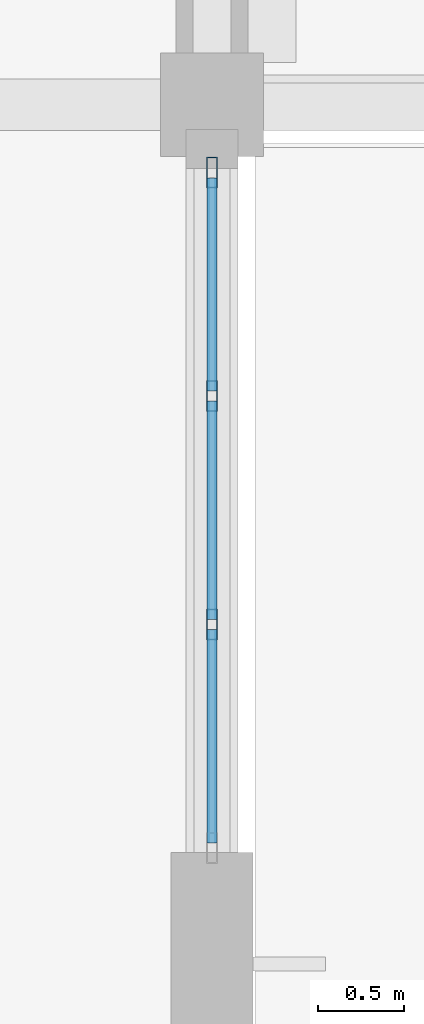
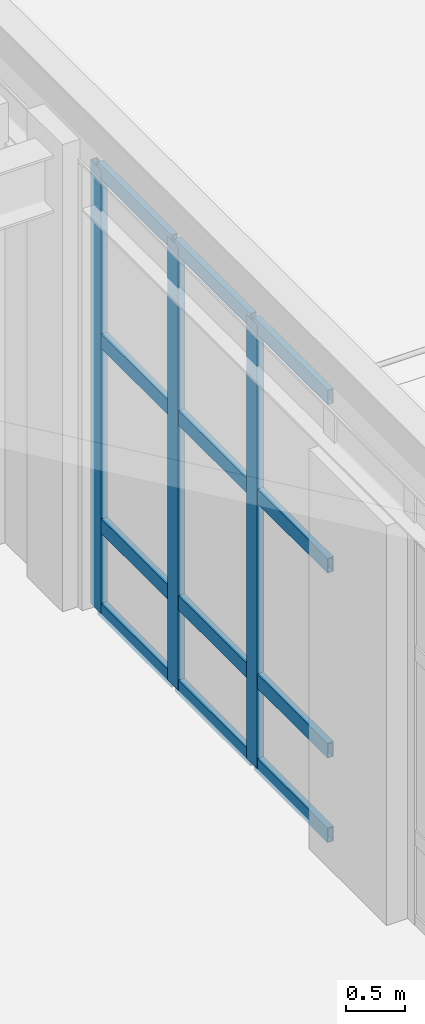
# One storey, part 34 of 86: 15 members, 1 element without a shape of its own.
"""IFC4 building model written with IfcOpenShell, lengths in metres."""

from ifc_helpers import new_model, si_unit, direction, frame, origin, origin_2d, place, context, subcontext, project, spatial, hollow_rectangle, extrude, material, layer, layer_set, material_profile, profile_set, type_object, element, aggregate, save


model = new_model("IFC4")

# Units and contexts
model_context = context("Model", 3, precision=1e-05, world=origin(), true_north=direction((0.0, 1.0)))
body_context = subcontext(model_context, "Body", "Model", "MODEL_VIEW")
ifc_project = project(units=[si_unit("LENGTHUNIT", "METRE"), si_unit("AREAUNIT", "SQUARE_METRE"), si_unit("VOLUMEUNIT", "CUBIC_METRE"), si_unit("PLANEANGLEUNIT", "RADIAN"), si_unit("MASSUNIT", "GRAM", prefix="KILO")], contexts=[model_context])

# Site, building, storey
site_placement = place(None, origin())
site = spatial("IfcSite", under=ifc_project, at=site_placement, CompositionType="ELEMENT")
building_placement = place(site_placement, origin())
building = spatial("IfcBuilding", under=site, at=building_placement, Name="Tasgan Crest Museum", CompositionType="ELEMENT")
storey_placement = place(building_placement, frame((0.0, 0.0, 24.0)))
storey = spatial("IfcBuildingStorey", under=building, at=storey_placement, Name="L04", CompositionType="ELEMENT", Elevation=24.0)

# Curtain wall, members
ifc_material_1 = material(Name="Triple-Glazed Aluminium Curtain Wall", Category="aluminium")
ifc_layer = layer(ifc_material_1, 0.179931640625, Name="CW-DRUM-Y10-48")
ifc_layer_set = layer_set([ifc_layer], Name="Triple-Glazed Aluminium Curtain Wall")
curtain_wall_type = type_object("IfcCurtainWallType", Name="CW-DRUM-Y10-48", PredefinedType="NOTDEFINED", material=ifc_layer_set)
curtain_wall_placement = place(storey_placement, origin())
curtain_wall = element("IfcCurtainWall", 1, at=curtain_wall_placement, inside=storey, type_object=curtain_wall_type, Name="Curtain wall L04 196", PredefinedType="NOTDEFINED")
ifc_material_2 = material(Name="Anodised Aluminium", Category="aluminium")
ifc_material_profile_1 = material_profile(ifc_material_2, hollow_rectangle(XDim=0.06494140625, YDim=0.179931640625, WallThickness=0.0048828125, at=origin_2d()), Name="ALU MULLION 180x65x5")
ifc_profile_set_1 = profile_set([ifc_material_profile_1], Name="Anodised Aluminium")
member_type_1 = type_object("IfcMemberType", Name="CW-MULLION-180", PredefinedType="MULLION", material=ifc_profile_set_1)
member_1_placement = place(storey_placement, frame((108.0, 46.97509765625, 0.0), z_axis=(0.0, 0.0, 1.0), x_axis=(-1.0, 0.0, 0.0)))
member_1 = element("IfcMember", 2, at=member_1_placement, type_object=member_type_1, Name="CW04 mullion 2", PredefinedType="MULLION", context=body_context, shape_type="SweptSolid", body=[
    extrude(hollow_rectangle(XDim=0.06494140625, YDim=0.179931640625, WallThickness=0.0048828125, at=origin_2d()), origin(), (0.0, 0.0, 1.0), 4.56005859375),
])
member_2_placement = place(storey_placement, frame((108.0, 48.304931640625, 0.0), z_axis=(0.0, 0.0, 1.0), x_axis=(-1.0, 0.0, 0.0)))
member_2 = element("IfcMember", 3, at=member_2_placement, type_object=member_type_1, Name="CW04 mullion 3", PredefinedType="MULLION", context=body_context, shape_type="SweptSolid", body=[
    extrude(hollow_rectangle(XDim=0.06494140625, YDim=0.179931640625, WallThickness=0.0048828125, at=origin_2d()), origin(), (0.0, 0.0, 1.0), 4.56005859375),
])
member_3_placement = place(storey_placement, frame((108.0, 49.60498046875, 0.0), z_axis=(0.0, 0.0, 1.0), x_axis=(-1.0, 0.0, 0.0)))
member_3 = element("IfcMember", 4, at=member_3_placement, type_object=member_type_1, Name="CW04 mullion 4", PredefinedType="MULLION", context=body_context, shape_type="SweptSolid", body=[
    extrude(hollow_rectangle(XDim=0.06494140625, YDim=0.179931640625, WallThickness=0.0048828125, at=origin_2d()), origin(), (0.0, 0.0, 1.0), 4.56005859375),
])
ifc_material_3 = material(Name="Anodised Aluminium", Category="aluminium")
ifc_material_profile_2 = material_profile(ifc_material_3, hollow_rectangle(XDim=0.06005859375, YDim=0.14990234375, WallThickness=0.0048828125, at=origin_2d()), Name="ALU TRANSOM 150x60x5")
ifc_profile_set_2 = profile_set([ifc_material_profile_2], Name="Anodised Aluminium")
member_type_2 = type_object("IfcMemberType", Name="CW-TRANSOM-150", PredefinedType="USERDEFINED", material=ifc_profile_set_2)
member_4_placement = place(storey_placement, frame((108.0, 45.705078125, 0.030029296875), z_axis=(0.0, 1.0, 0.0), x_axis=(-1.0, 0.0, 0.0)))
member_4 = element("IfcMember", 5, at=member_4_placement, type_object=member_type_2, Name="CW04 transom 1.1", ObjectType="TRANSOM", PredefinedType="USERDEFINED", context=body_context, shape_type="SweptSolid", body=[
    extrude(hollow_rectangle(XDim=0.06005859375, YDim=0.14990234375, WallThickness=0.0048828125, at=origin_2d()), origin(), (0.0, 0.0, 1.0), 1.239990234375),
])
member_5_placement = place(storey_placement, frame((108.0, 45.705078125, 0.89990234375), z_axis=(0.0, 1.0, 0.0), x_axis=(-1.0, 0.0, 0.0)))
member_5 = element("IfcMember", 6, at=member_5_placement, type_object=member_type_2, Name="CW04 transom 1.2", ObjectType="TRANSOM", PredefinedType="USERDEFINED", context=body_context, shape_type="SweptSolid", body=[
    extrude(hollow_rectangle(XDim=0.06005859375, YDim=0.14990234375, WallThickness=0.0048828125, at=origin_2d()), origin(), (0.0, 0.0, 1.0), 1.239990234375),
])
member_6_placement = place(storey_placement, frame((108.0, 45.705078125, 2.800048828125), z_axis=(0.0, 1.0, 0.0), x_axis=(-1.0, 0.0, 0.0)))
member_6 = element("IfcMember", 7, at=member_6_placement, type_object=member_type_2, Name="CW04 transom 1.3", ObjectType="TRANSOM", PredefinedType="USERDEFINED", context=body_context, shape_type="SweptSolid", body=[
    extrude(hollow_rectangle(XDim=0.06005859375, YDim=0.14990234375, WallThickness=0.0048828125, at=origin_2d()), origin(), (0.0, 0.0, 1.0), 1.239990234375),
])
member_7_placement = place(storey_placement, frame((108.0, 45.705078125, 4.530029296875), z_axis=(0.0, 1.0, 0.0), x_axis=(-1.0, 0.0, 0.0)))
member_7 = element("IfcMember", 8, at=member_7_placement, type_object=member_type_2, Name="CW04 transom 1.4", ObjectType="TRANSOM", PredefinedType="USERDEFINED", context=body_context, shape_type="SweptSolid", body=[
    extrude(hollow_rectangle(XDim=0.06005859375, YDim=0.14990234375, WallThickness=0.0048828125, at=origin_2d()), origin(), (0.0, 0.0, 1.0), 1.239990234375),
])
member_8_placement = place(storey_placement, frame((108.0, 47.0048828125, 0.030029296875), z_axis=(0.0, 1.0, 0.0), x_axis=(-1.0, 0.0, 0.0)))
member_8 = element("IfcMember", 9, at=member_8_placement, type_object=member_type_2, Name="CW04 transom 2.1", ObjectType="TRANSOM", PredefinedType="USERDEFINED", context=body_context, shape_type="SweptSolid", body=[
    extrude(hollow_rectangle(XDim=0.06005859375, YDim=0.14990234375, WallThickness=0.0048828125, at=origin_2d()), origin(), (0.0, 0.0, 1.0), 1.27001953125),
])
member_9_placement = place(storey_placement, frame((108.0, 47.0048828125, 0.89990234375), z_axis=(0.0, 1.0, 0.0), x_axis=(-1.0, 0.0, 0.0)))
member_9 = element("IfcMember", 10, at=member_9_placement, type_object=member_type_2, Name="CW04 transom 2.2", ObjectType="TRANSOM", PredefinedType="USERDEFINED", context=body_context, shape_type="SweptSolid", body=[
    extrude(hollow_rectangle(XDim=0.06005859375, YDim=0.14990234375, WallThickness=0.0048828125, at=origin_2d()), origin(), (0.0, 0.0, 1.0), 1.27001953125),
])
member_10_placement = place(storey_placement, frame((108.0, 47.0048828125, 2.800048828125), z_axis=(0.0, 1.0, 0.0), x_axis=(-1.0, 0.0, 0.0)))
member_10 = element("IfcMember", 11, at=member_10_placement, type_object=member_type_2, Name="CW04 transom 2.3", ObjectType="TRANSOM", PredefinedType="USERDEFINED", context=body_context, shape_type="SweptSolid", body=[
    extrude(hollow_rectangle(XDim=0.06005859375, YDim=0.14990234375, WallThickness=0.0048828125, at=origin_2d()), origin(), (0.0, 0.0, 1.0), 1.27001953125),
])
member_11_placement = place(storey_placement, frame((108.0, 47.0048828125, 4.530029296875), z_axis=(0.0, 1.0, 0.0), x_axis=(-1.0, 0.0, 0.0)))
member_11 = element("IfcMember", 12, at=member_11_placement, type_object=member_type_2, Name="CW04 transom 2.4", ObjectType="TRANSOM", PredefinedType="USERDEFINED", context=body_context, shape_type="SweptSolid", body=[
    extrude(hollow_rectangle(XDim=0.06005859375, YDim=0.14990234375, WallThickness=0.0048828125, at=origin_2d()), origin(), (0.0, 0.0, 1.0), 1.27001953125),
])
member_12_placement = place(storey_placement, frame((108.0, 48.3349609375, 0.030029296875), z_axis=(0.0, 1.0, 0.0), x_axis=(-1.0, 0.0, 0.0)))
member_12 = element("IfcMember", 13, at=member_12_placement, type_object=member_type_2, Name="CW04 transom 3.1", ObjectType="TRANSOM", PredefinedType="USERDEFINED", context=body_context, shape_type="SweptSolid", body=[
    extrude(hollow_rectangle(XDim=0.06005859375, YDim=0.14990234375, WallThickness=0.0048828125, at=origin_2d()), origin(), (0.0, 0.0, 1.0), 1.239990234375),
])
member_13_placement = place(storey_placement, frame((108.0, 48.3349609375, 0.89990234375), z_axis=(0.0, 1.0, 0.0), x_axis=(-1.0, 0.0, 0.0)))
member_13 = element("IfcMember", 14, at=member_13_placement, type_object=member_type_2, Name="CW04 transom 3.2", ObjectType="TRANSOM", PredefinedType="USERDEFINED", context=body_context, shape_type="SweptSolid", body=[
    extrude(hollow_rectangle(XDim=0.06005859375, YDim=0.14990234375, WallThickness=0.0048828125, at=origin_2d()), origin(), (0.0, 0.0, 1.0), 1.239990234375),
])
member_14_placement = place(storey_placement, frame((108.0, 48.3349609375, 2.800048828125), z_axis=(0.0, 1.0, 0.0), x_axis=(-1.0, 0.0, 0.0)))
member_14 = element("IfcMember", 15, at=member_14_placement, type_object=member_type_2, Name="CW04 transom 3.3", ObjectType="TRANSOM", PredefinedType="USERDEFINED", context=body_context, shape_type="SweptSolid", body=[
    extrude(hollow_rectangle(XDim=0.06005859375, YDim=0.14990234375, WallThickness=0.0048828125, at=origin_2d()), origin(), (0.0, 0.0, 1.0), 1.239990234375),
])
member_15_placement = place(storey_placement, frame((108.0, 48.3349609375, 4.530029296875), z_axis=(0.0, 1.0, 0.0), x_axis=(-1.0, 0.0, 0.0)))
member_15 = element("IfcMember", 16, at=member_15_placement, type_object=member_type_2, Name="CW04 transom 3.4", ObjectType="TRANSOM", PredefinedType="USERDEFINED", context=body_context, shape_type="SweptSolid", body=[
    extrude(hollow_rectangle(XDim=0.06005859375, YDim=0.14990234375, WallThickness=0.0048828125, at=origin_2d()), origin(), (0.0, 0.0, 1.0), 1.239990234375),
])
aggregate(curtain_wall, [member_1, member_2, member_3, member_4, member_5, member_6, member_7, member_8, member_9, member_10, member_11, member_12, member_13, member_14, member_15])

save(model, "model.ifc")
